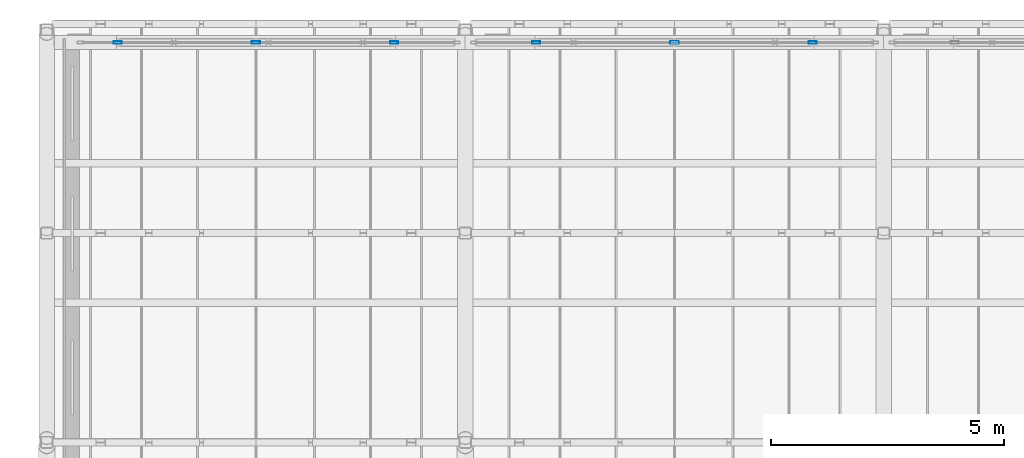
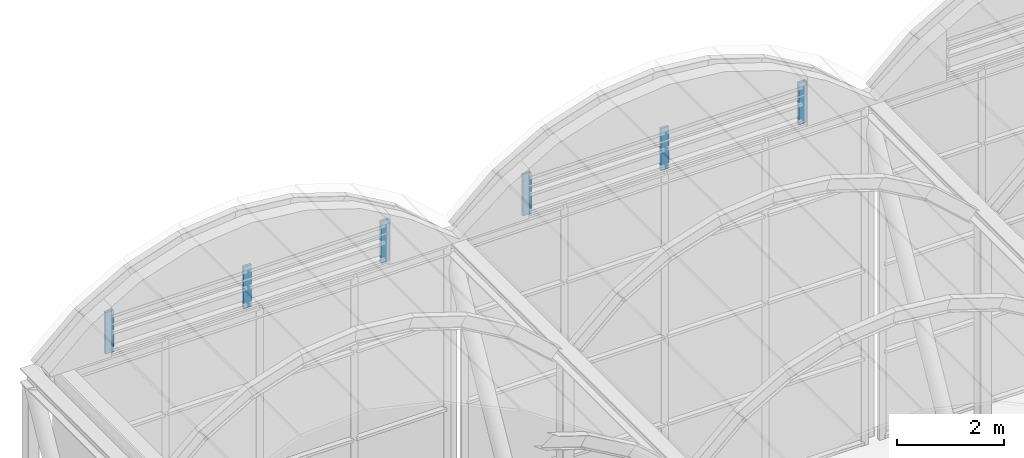
# One storey, part 113 of 144: 6 members, 2 elements without a shape of their own.
"""IFC4 building model written with IfcOpenShell, lengths in metres."""

from ifc_helpers import new_model, si_unit, direction, frame, origin, origin_2d, place, context, subcontext, project, spatial, hollow_rectangle, extrude, material, layer, layer_set, material_profile, profile_set, type_object, element, aggregate, save


model = new_model("IFC4")

# Units and contexts
model_context = context("Model", 3, precision=1e-05, world=origin(), true_north=direction((0.0, 1.0)))
body_context = subcontext(model_context, "Body", "Model", "MODEL_VIEW")
ifc_project = project(units=[si_unit("LENGTHUNIT", "METRE"), si_unit("AREAUNIT", "SQUARE_METRE"), si_unit("VOLUMEUNIT", "CUBIC_METRE"), si_unit("PLANEANGLEUNIT", "RADIAN"), si_unit("MASSUNIT", "GRAM", prefix="KILO")], contexts=[model_context])

# Site, building, storey
site_placement = place(None, origin())
site = spatial("IfcSite", under=ifc_project, at=site_placement, CompositionType="ELEMENT")
building_placement = place(site_placement, origin())
building = spatial("IfcBuilding", under=site, at=building_placement, Name="Shorebreak Coast Museum", CompositionType="ELEMENT")
storey_placement = place(building_placement, frame((0.0, 0.0, 36.0)))
storey = spatial("IfcBuildingStorey", under=building, at=storey_placement, Name="L06", CompositionType="ELEMENT", Elevation=36.0)

# Curtain wall, members
ifc_material_1 = material(Name="Aluminium", Category="aluminium")
ifc_layer = layer(ifc_material_1, 0.175048828125)
ifc_layer_set = layer_set([ifc_layer], Name="Aluminium")
curtain_wall_type = type_object("IfcCurtainWallType", Name="Gable curtain wall", PredefinedType="NOTDEFINED", material=ifc_layer_set)
curtain_wall_1_placement = place(storey_placement, origin())
curtain_wall_1 = element("IfcCurtainWall", 1, at=curtain_wall_1_placement, inside=storey, type_object=curtain_wall_type, Name="Vault arch glazing V1", PredefinedType="NOTDEFINED")
ifc_material_2 = material(Name="Aluminium", Category="aluminium")
ifc_material_profile = material_profile(ifc_material_2, hollow_rectangle(XDim=0.06005859375, YDim=0.175048828125, WallThickness=0.00390625, at=origin_2d()), Name="AL 175x60 RHS")
ifc_profile_set = profile_set([ifc_material_profile], Name="Aluminium")
member_type = type_object("IfcMemberType", Name="Gable mullion 60 x 175", PredefinedType="MULLION", material=ifc_profile_set)
member_1_placement = place(storey_placement, frame((55.530029296875, 134.60009765625, 7.800048828125), z_axis=(0.0, 0.0, 1.0), x_axis=(0.0, 1.0, 0.0)))
member_1 = element("IfcMember", 2, at=member_1_placement, type_object=member_type, Name="CW9 mullion 1", PredefinedType="MULLION", context=body_context, shape_type="SweptSolid", body=[
    extrude(hollow_rectangle(XDim=0.06005859375, YDim=0.175048828125, WallThickness=0.00390625, at=origin_2d()), origin(), (0.0, 0.0, 1.0), 0.949951171875),
])
member_2_placement = place(storey_placement, frame((58.5, 134.60009765625, 7.800048828125), z_axis=(0.0, 0.0, 1.0), x_axis=(0.0, 1.0, 0.0)))
member_2 = element("IfcMember", 3, at=member_2_placement, type_object=member_type, Name="CW9 mullion 2", PredefinedType="MULLION", context=body_context, shape_type="SweptSolid", body=[
    extrude(hollow_rectangle(XDim=0.06005859375, YDim=0.175048828125, WallThickness=0.00390625, at=origin_2d()), origin(), (0.0, 0.0, 1.0), 0.949951171875),
])
member_3_placement = place(storey_placement, frame((61.469970703125, 134.60009765625, 7.800048828125), z_axis=(0.0, 0.0, 1.0), x_axis=(0.0, 1.0, 0.0)))
member_3 = element("IfcMember", 4, at=member_3_placement, type_object=member_type, Name="CW9 mullion 3", PredefinedType="MULLION", context=body_context, shape_type="SweptSolid", body=[
    extrude(hollow_rectangle(XDim=0.06005859375, YDim=0.175048828125, WallThickness=0.00390625, at=origin_2d()), origin(), (0.0, 0.0, 1.0), 0.949951171875),
])
aggregate(curtain_wall_1, [member_1, member_2, member_3])

curtain_wall_2_placement = place(storey_placement, origin())
curtain_wall_2 = element("IfcCurtainWall", 5, at=curtain_wall_2_placement, inside=storey, type_object=curtain_wall_type, Name="Vault arch glazing V2", PredefinedType="NOTDEFINED")
member_4_placement = place(storey_placement, frame((64.530029296875, 134.60009765625, 7.800048828125), z_axis=(0.0, 0.0, 1.0), x_axis=(0.0, 1.0, 0.0)))
member_4 = element("IfcMember", 6, at=member_4_placement, type_object=member_type, Name="CW9 mullion 1", PredefinedType="MULLION", context=body_context, shape_type="SweptSolid", body=[
    extrude(hollow_rectangle(XDim=0.06005859375, YDim=0.175048828125, WallThickness=0.00390625, at=origin_2d()), origin(), (0.0, 0.0, 1.0), 0.949951171875),
])
member_5_placement = place(storey_placement, frame((67.5, 134.60009765625, 7.800048828125), z_axis=(0.0, 0.0, 1.0), x_axis=(0.0, 1.0, 0.0)))
member_5 = element("IfcMember", 7, at=member_5_placement, type_object=member_type, Name="CW9 mullion 2", PredefinedType="MULLION", context=body_context, shape_type="SweptSolid", body=[
    extrude(hollow_rectangle(XDim=0.06005859375, YDim=0.175048828125, WallThickness=0.00390625, at=origin_2d()), origin(), (0.0, 0.0, 1.0), 0.949951171875),
])
member_6_placement = place(storey_placement, frame((70.469970703125, 134.60009765625, 7.800048828125), z_axis=(0.0, 0.0, 1.0), x_axis=(0.0, 1.0, 0.0)))
member_6 = element("IfcMember", 8, at=member_6_placement, type_object=member_type, Name="CW9 mullion 3", PredefinedType="MULLION", context=body_context, shape_type="SweptSolid", body=[
    extrude(hollow_rectangle(XDim=0.06005859375, YDim=0.175048828125, WallThickness=0.00390625, at=origin_2d()), origin(), (0.0, 0.0, 1.0), 0.949951171875),
])
aggregate(curtain_wall_2, [member_4, member_5, member_6])

save(model, "model.ifc")
